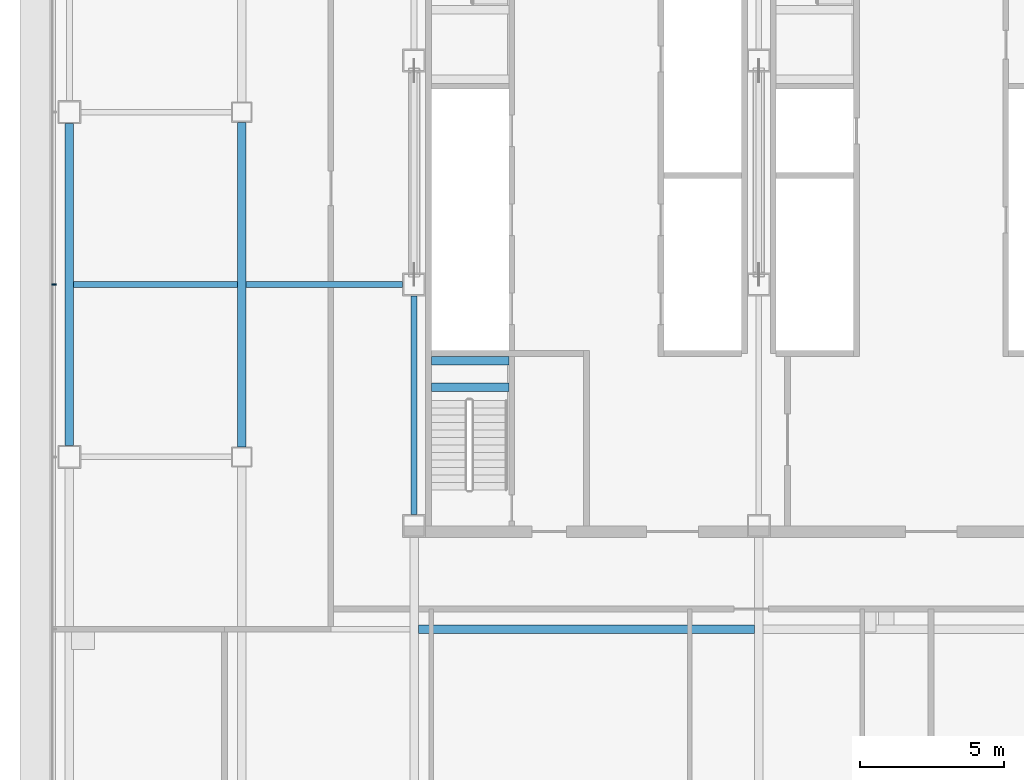
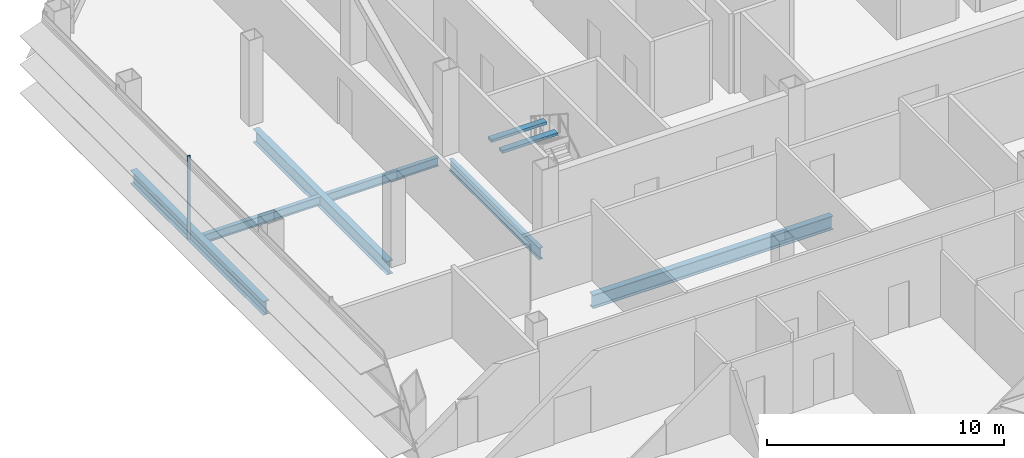
# One storey, part 7 of 28: 8 beams, 1 member, 1 element without a shape of its own.
"""IFC4 building model written with IfcOpenShell, lengths in metres."""

from ifc_helpers import new_model, si_unit, direction, frame, origin, origin_2d, place, context, subcontext, project, spatial, rectangle, i_section, extrude, material, material_profile, profile_set, type_object, element, aggregate, save


model = new_model("IFC4")

# Units and contexts
model_context = context("Model", 3, precision=1e-05, world=origin(), true_north=direction((0.0, 1.0)))
body_context = subcontext(model_context, "Body", "Model", "MODEL_VIEW")
ifc_project = project(units=[si_unit("LENGTHUNIT", "METRE"), si_unit("AREAUNIT", "SQUARE_METRE"), si_unit("VOLUMEUNIT", "CUBIC_METRE"), si_unit("PLANEANGLEUNIT", "RADIAN"), si_unit("MASSUNIT", "GRAM", prefix="KILO")], contexts=[model_context])

# Site, building, storey
site_placement = place(None, origin())
site = spatial("IfcSite", under=ifc_project, at=site_placement, CompositionType="ELEMENT")
building_placement = place(site_placement, origin())
building = spatial("IfcBuilding", under=site, at=building_placement, Name="Sorahane Residences", CompositionType="ELEMENT")
storey_placement = place(building_placement, frame((0.0, 0.0, 134.0)))
storey = spatial("IfcBuildingStorey", under=building, at=storey_placement, Name="L30", CompositionType="ELEMENT", Elevation=134.0)

# Curtain wall, member
ifc_material_1 = material(Name="Dark low-e glass and black anodised aluminium", Category="aluminium")
curtain_wall_type = type_object("IfcCurtainWallType", Name="Curtain wall CW-1 Typical unitised wall", PredefinedType="NOTDEFINED", material=ifc_material_1)
curtain_wall_placement = place(storey_placement, origin())
curtain_wall = element("IfcCurtainWall", 1, at=curtain_wall_placement, inside=storey, type_object=curtain_wall_type, Name="CW-1 curtain wall L30 W1", PredefinedType="NOTDEFINED")
ifc_material_2 = material(Name="Black anodised aluminium", Category="aluminium")
ifc_material_profile_1 = material_profile(ifc_material_2, rectangle(XDim=0.159912109375, YDim=0.050048828125, at=origin_2d()), Name="Curtain wall mullion CW-1 black anodised aluminium 50x160")
ifc_profile_set_1 = profile_set([ifc_material_profile_1], Name="Black anodised aluminium")
member_type = type_object("IfcMemberType", Name="Curtain wall mullion CW-1 black anodised aluminium 50x160", PredefinedType="MULLION", material=ifc_profile_set_1)
member_placement = place(storey_placement, frame((-6.5400390625, 30.0, -0.179931640625), z_axis=(0.0, 0.0, 1.0), x_axis=(-1.0, 0.0, 0.0)))
member = element("IfcMember", 2, at=member_placement, type_object=member_type, Name="CW-1 mullion L30 W1.3", PredefinedType="MULLION", context=body_context, shape_type="SweptSolid", body=[
    extrude(rectangle(XDim=0.159912109375, YDim=0.050048828125, at=origin_2d()), origin(), (0.0, 0.0, 1.0), 4.280029296875),
])
aggregate(curtain_wall, [member])

# Beams
ifc_material_3 = material(Name="Concrete C40", Category="concrete")
ifc_material_profile_2 = material_profile(ifc_material_3, rectangle(XDim=0.300048828125, YDim=0.139892578125, at=origin_2d()), Name="300x140")
ifc_profile_set_2 = profile_set([ifc_material_profile_2], Name="Concrete C40")
beam_type_1 = type_object("IfcBeamType", Name="RC landing beam 300 x 140 Concrete C40", PredefinedType="BEAM", material=ifc_profile_set_2)
for number, where, z_axis, x_axis, name in (
    (3, (6.60009765625, 26.419921875, 1.929931640625), (1.0, 0.0, 0.0), (0.0, 1.0, 0.0), "Landing beam"),
    (4, (6.60009765625, 27.35009765625, 1.929931640625), (1.0, 0.0, 0.0), (0.0, 1.0, 0.0), "Landing beam"),
):
    element("IfcBeam", number, at=place(storey_placement, frame(where, z_axis=z_axis, x_axis=x_axis)), inside=storey, type_object=beam_type_1, Name=name, PredefinedType="BEAM", context=body_context, shape_type="SweptSolid", body=[
        extrude(rectangle(XDim=0.300048828125, YDim=0.139892578125, at=origin_2d()), origin(), (0.0, 0.0, 1.0), 2.699951171875),
    ])
ifc_material_4 = material(Name="Steel Q355B", Category="steel")
ifc_material_profile_3 = material_profile(ifc_material_4, i_section(OverallWidth=0.199951171875, OverallDepth=0.449951171875, WebThickness=0.009033203125, FlangeThickness=0.013916015625, FilletRadius=0.02001953125, at=origin_2d()), Name="HN 450x200x9x14")
ifc_profile_set_3 = profile_set([ifc_material_profile_3], Name="Steel Q355B")
beam_type_2 = type_object("IfcBeamType", Name="Steel floor beam HN 450x200x9x14 Q355B", PredefinedType="BEAM", material=ifc_profile_set_3)
beam_1_placement = place(storey_placement, frame((-5.85009765625, 30.0, -0.405029296875), z_axis=(1.0, 0.0, 0.0), x_axis=(0.0, 1.0, 0.0)))
element("IfcBeam", 5, at=beam_1_placement, inside=storey, type_object=beam_type_2, Name="Beam L30 083", PredefinedType="BEAM", context=body_context, shape_type="SweptSolid", body=[
    extrude(i_section(OverallWidth=0.199951171875, OverallDepth=0.449951171875, WebThickness=0.009033203125, FlangeThickness=0.013916015625, FilletRadius=0.02001953125, at=origin_2d()), origin(), (0.0, 0.0, 1.0), 5.7001953125),
])
beam_2_placement = place(storey_placement, frame((0.14990234375, 30.0, -0.405029296875), z_axis=(1.0, 0.0, 0.0), x_axis=(0.0, 1.0, 0.0)))
element("IfcBeam", 6, at=beam_2_placement, inside=storey, type_object=beam_type_2, Name="Beam L30 084", PredefinedType="BEAM", context=body_context, shape_type="SweptSolid", body=[
    extrude(i_section(OverallWidth=0.199951171875, OverallDepth=0.449951171875, WebThickness=0.009033203125, FlangeThickness=0.013916015625, FilletRadius=0.02001953125, at=origin_2d()), origin(), (0.0, 0.0, 1.0), 5.4501953125),
])
ifc_material_5 = material(Name="Steel Q355B", Category="steel")
ifc_material_profile_4 = material_profile(ifc_material_5, i_section(OverallWidth=0.199951171875, OverallDepth=0.60009765625, WebThickness=0.010986328125, FlangeThickness=0.01708984375, FilletRadius=0.02392578125, at=origin_2d()), Name="HN 600x200x11x17")
ifc_profile_set_4 = profile_set([ifc_material_profile_4], Name="Steel Q355B")
beam_type_3 = type_object("IfcBeamType", Name="Steel floor beam HN 600x200x11x17 Q355B", PredefinedType="BEAM", material=ifc_profile_set_4)
beam_3_placement = place(storey_placement, frame((6.0, 22.0, -0.47998046875), z_axis=(0.0, 1.0, 0.0), x_axis=(-1.0, 0.0, 0.0)))
element("IfcBeam", 7, at=beam_3_placement, inside=storey, type_object=beam_type_3, Name="Beam L30 030", PredefinedType="BEAM", context=body_context, shape_type="SweptSolid", body=[
    extrude(i_section(OverallWidth=0.199951171875, OverallDepth=0.60009765625, WebThickness=0.010986328125, FlangeThickness=0.01708984375, FilletRadius=0.02392578125, at=origin_2d()), origin(), (0.0, 0.0, 1.0), 7.60009765625),
])
ifc_material_6 = material(Name="Steel Q355B", Category="steel")
ifc_material_profile_5 = material_profile(ifc_material_6, i_section(OverallWidth=0.300048828125, OverallDepth=0.699951171875, WebThickness=0.012939453125, FlangeThickness=0.02392578125, FilletRadius=0.028076171875, at=origin_2d()), Name="HN 700x300x13x24")
ifc_profile_set_5 = profile_set([ifc_material_profile_5], Name="Steel Q355B")
beam_type_4 = type_object("IfcBeamType", Name="Steel floor beam HN 700x300x13x24 Q355B", PredefinedType="BEAM", material=ifc_profile_set_5)
beam_4_placement = place(storey_placement, frame((-6.0, 24.39990234375, -0.530029296875), z_axis=(0.0, 1.0, 0.0), x_axis=(-1.0, 0.0, 0.0)))
element("IfcBeam", 8, at=beam_4_placement, inside=storey, type_object=beam_type_4, Name="Beam L30 022", PredefinedType="BEAM", context=body_context, shape_type="SweptSolid", body=[
    extrude(i_section(OverallWidth=0.300048828125, OverallDepth=0.699951171875, WebThickness=0.012939453125, FlangeThickness=0.02392578125, FilletRadius=0.028076171875, at=origin_2d()), origin(), (0.0, 0.0, 1.0), 11.2001953125),
])
beam_5_placement = place(storey_placement, frame((0.0, 24.35009765625, -0.530029296875), z_axis=(0.0, 1.0, 0.0), x_axis=(-1.0, 0.0, 0.0)))
element("IfcBeam", 9, at=beam_5_placement, inside=storey, type_object=beam_type_4, Name="Beam L30 026", PredefinedType="BEAM", context=body_context, shape_type="SweptSolid", body=[
    extrude(i_section(OverallWidth=0.300048828125, OverallDepth=0.699951171875, WebThickness=0.012939453125, FlangeThickness=0.02392578125, FilletRadius=0.028076171875, at=origin_2d()), origin(), (0.0, 0.0, 1.0), 11.2998046875),
])
beam_6_placement = place(storey_placement, frame((6.14990234375, 18.0, -0.530029296875), z_axis=(1.0, 0.0, 0.0), x_axis=(0.0, 1.0, 0.0)))
element("IfcBeam", 10, at=beam_6_placement, inside=storey, type_object=beam_type_4, Name="Beam L30 078", PredefinedType="BEAM", context=body_context, shape_type="SweptSolid", body=[
    extrude(i_section(OverallWidth=0.300048828125, OverallDepth=0.699951171875, WebThickness=0.012939453125, FlangeThickness=0.02392578125, FilletRadius=0.028076171875, at=origin_2d()), origin(), (0.0, 0.0, 1.0), 11.7001953125),
])

save(model, "model.ifc")
